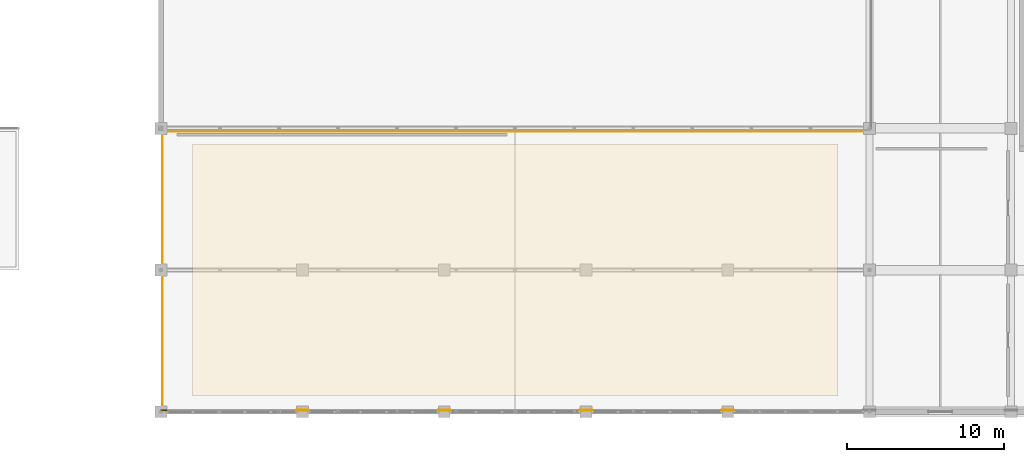
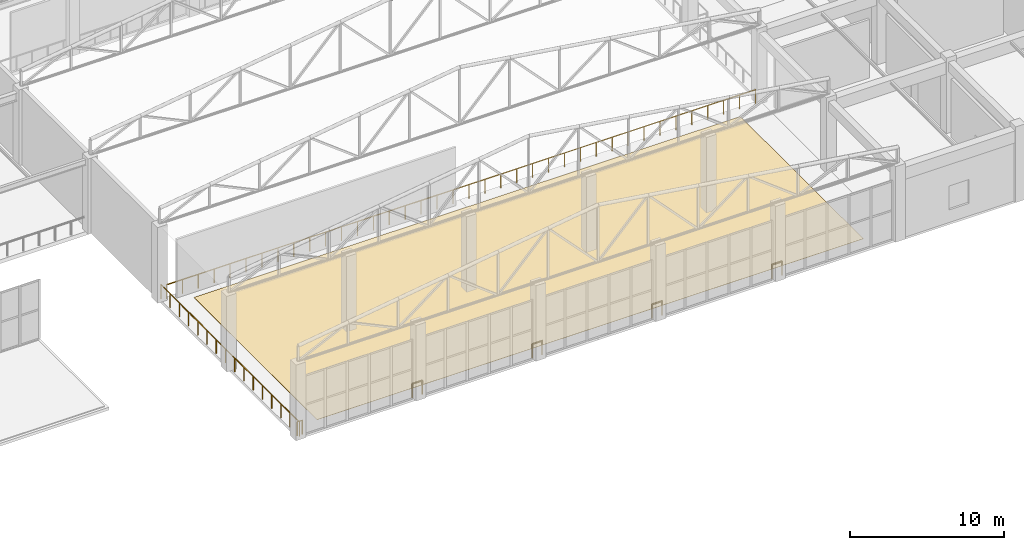
# One storey, part 212 of 223: 7 railings, 1 covering.
"""IFC4 building model written with IfcOpenShell, lengths in metres."""

import ifcopenshell
import ifcopenshell.guid

model = None  # the IFC model being written
_history = None  # IfcOwnerHistory: only IFC2X3 demands one
_inside = {}  # id of a spatial element -> (the spatial element, [elements in it])
_under = {}  # id of a project, library or spatial element -> (it, [spatial elements below it])
_declared = {}  # id of a project -> (the project, [libraries it declares])
_typed = {}  # id of a type object -> (the type object, [elements of that type])
_made_of = {}  # id of a material, layer set ... -> (it, [elements and type objects made of it])


def new_model(schema):
    """Start an empty IFC model of exactly this schema.

    Asked for "IFC4X3", IfcOpenShell would pick the latest addendum, in which some entities
    have other attributes; the version numbers below select the first issue.
    IFC2X3 requires an IfcOwnerHistory on every rooted entity: one is made here for all.
    """
    global model, _history
    if schema == "IFC4X3":
        model = ifcopenshell.file(schema_version=(4, 3, 0, 0))
    else:
        model = ifcopenshell.file(schema=schema)
    _inside.clear()
    _under.clear()
    _declared.clear()
    _typed.clear()
    _made_of.clear()
    _history = None
    if model.schema == "IFC2X3":
        org = make("IfcOrganization", Name="unknown")
        user = make(
            "IfcPersonAndOrganization",
            ThePerson=make("IfcPerson", FamilyName="unknown"),
            TheOrganization=org,
        )
        app = make(
            "IfcApplication",
            ApplicationDeveloper=org,
            Version="unknown",
            ApplicationFullName="unknown",
            ApplicationIdentifier="unknown",
        )
        _history = make(
            "IfcOwnerHistory",
            OwningUser=user,
            OwningApplication=app,
            ChangeAction="ADDED",
            CreationDate=0,
        )
    return model


def make(cls, **values):
    """One entity of the class cls with the attributes given. An attribute that is None is left unset."""
    return model.create_entity(
        cls, **{name: value for name, value in values.items() if value is not None}
    )


def rooted(cls, **values):
    """An entity with a GlobalId (a new one), such as an element, a storey or a relation."""
    return make(cls, GlobalId=ifcopenshell.guid.new(), OwnerHistory=_history, **values)


def si_unit(unit_type, name, prefix=None):
    """IfcSIUnit, for example si_unit("LENGTHUNIT", "METRE", prefix="MILLI")."""
    return make("IfcSIUnit", UnitType=unit_type, Prefix=prefix, Name=name)


def assignment(units):
    """IfcUnitAssignment: the units of a project."""
    return None if units is None else make("IfcUnitAssignment", Units=units)


def point(xyz):
    """IfcCartesianPoint."""
    return None if xyz is None else make("IfcCartesianPoint", Coordinates=xyz)


def direction(xyz):
    """IfcDirection."""
    return None if xyz is None else make("IfcDirection", DirectionRatios=xyz)


def frame(location, z_axis=None, x_axis=None):
    """IfcAxis2Placement3D, a coordinate frame: its origin and axes. An axis left out is left unset."""
    return make(
        "IfcAxis2Placement3D",
        Location=point(location),
        Axis=direction(z_axis),
        RefDirection=direction(x_axis),
    )


def frame_2d(location, x_axis=None):
    """IfcAxis2Placement2D, a coordinate frame in the plane: its origin and x axis."""
    return make(
        "IfcAxis2Placement2D", Location=point(location), RefDirection=direction(x_axis)
    )


def origin():
    """The frame at (0, 0, 0) with its axes left unset."""
    return frame((0.0, 0.0, 0.0))


def origin_2d():
    """The frame at (0, 0) in the plane with its x axis left unset."""
    return frame_2d((0.0, 0.0))


def place(relative_to, where):
    """IfcLocalPlacement: puts the frame where relative to a parent placement (None: the world)."""
    return make(
        "IfcLocalPlacement", PlacementRelTo=relative_to, RelativePlacement=where
    )


def context(
    kind, dimensions, precision=None, world=None, true_north=None, identifier=None
):
    """IfcGeometricRepresentationContext, for example the 3D "Model" context."""
    return make(
        "IfcGeometricRepresentationContext",
        ContextIdentifier=identifier,
        ContextType=kind,
        CoordinateSpaceDimension=dimensions,
        Precision=precision,
        WorldCoordinateSystem=world,
        TrueNorth=true_north,
    )


def subcontext(parent, identifier, kind, view, scale=None):
    """IfcGeometricRepresentationSubContext, for example "Body" below "Model"."""
    return make(
        "IfcGeometricRepresentationSubContext",
        ContextIdentifier=identifier,
        ContextType=kind,
        ParentContext=parent,
        TargetScale=scale,
        TargetView=view,
    )


def project(units=None, contexts=None):
    """IfcProject with its units and contexts."""
    return rooted(
        "IfcProject",
        Name="project",
        RepresentationContexts=contexts,
        UnitsInContext=assignment(units),
    )


def spatial(cls, under=None, at=None, **own):
    """A site, building, storey or space (cls), placed at a placement, below another one or the project."""
    s = rooted(cls, ObjectPlacement=at, **own)
    if under is not None:
        _under.setdefault(under.id(), (under, []))[1].append(s)
    return s


def polyline(points):
    """IfcPolyline through the points."""
    return make("IfcPolyline", Points=[point(p) for p in points])


def profile(cls, at=None, kind="AREA", **sizes):
    """A parametric profile (cls). Its sizes go by their IFC names, for example OverallWidth=200.0."""
    return make(cls, ProfileType=kind, Position=at, **sizes)


def circle(**sizes):
    """IfcCircleProfileDef."""
    return profile("IfcCircleProfileDef", **sizes)


def outline(outer, holes=None, kind="AREA"):
    """IfcArbitraryClosedProfileDef: a profile drawn as a closed curve; with holes, ...WithVoids."""
    if holes is None:
        return make("IfcArbitraryClosedProfileDef", ProfileType=kind, OuterCurve=outer)
    return make(
        "IfcArbitraryProfileDefWithVoids",
        ProfileType=kind,
        OuterCurve=outer,
        InnerCurves=holes,
    )


def extrude(swept, where, along, depth):
    """IfcExtrudedAreaSolid: the profile swept, set in the frame where, extruded along a direction by depth."""
    return make(
        "IfcExtrudedAreaSolid",
        SweptArea=swept,
        Position=where,
        ExtrudedDirection=direction(along),
        Depth=depth,
    )


def shape(context_of_items, identifier, shape_type, items):
    """IfcShapeRepresentation: the items that make up one representation, for example the "Body"."""
    return make(
        "IfcShapeRepresentation",
        ContextOfItems=context_of_items,
        RepresentationIdentifier=identifier,
        RepresentationType=shape_type,
        Items=items,
    )


def material(Name=None, Category=None):
    """IfcMaterial."""
    return make("IfcMaterial", Name=Name, Category=Category)


def layer(
    of_material, thickness, ventilated=None, Name=None, Category=None, Priority=None
):
    """IfcMaterialLayer: one layer of a wall or slab, of a material (None: an air gap)."""
    return make(
        "IfcMaterialLayer",
        Material=of_material,
        LayerThickness=thickness,
        IsVentilated=ventilated,
        Name=Name,
        Category=Category,
        Priority=Priority,
    )


def layer_set(layers, Name=None):
    """IfcMaterialLayerSet."""
    return make("IfcMaterialLayerSet", MaterialLayers=layers, LayerSetName=Name)


def made_of(thing, what):
    """Note that an element or type object is made of a material, layer set ...; save() writes the relation."""
    if what is not None:
        _made_of.setdefault(what.id(), (what, []))[1].append(thing)
    return thing


def type_object(cls, material=None, **own):
    """A type object (cls), such as IfcWallType, which elements share."""
    return made_of(rooted(cls, **own), material)


def element(
    cls,
    number,
    at=None,
    inside=None,
    cuts=None,
    type_object=None,
    material=None,
    context=None,
    identifier="Body",
    shape_type=None,
    held_by="IfcProductDefinitionShape",
    body=None,
    shapes=None,
    **own,
):
    """One element of the class cls, such as IfcWall. Its Tag is "e" and its number.

    at: its placement. inside: the storey or other place that contains it. cuts: it is an
    opening in that element (IfcRelVoidsElement). A single representation is given by context,
    identifier, shape_type and body (its items); several are given by shapes. held_by: the class
    of the entity that holds the representations. save() writes the other relations.
    """
    e = rooted(cls, Tag="e%d" % number, ObjectPlacement=at, **own)
    if body is not None:
        shapes = [shape(context, identifier, shape_type, body)]
    if shapes is not None:
        e.Representation = make(held_by, Representations=shapes)
    if inside is not None:
        _inside.setdefault(inside.id(), (inside, []))[1].append(e)
    if cuts is not None:
        rooted(
            "IfcRelVoidsElement", RelatingBuildingElement=cuts, RelatedOpeningElement=e
        )
    if type_object is not None:
        _typed.setdefault(type_object.id(), (type_object, []))[1].append(e)
    return made_of(e, material)


def aggregate(whole, parts):
    """IfcRelAggregates: a whole, such as a stair, and the parts it consists of."""
    return rooted("IfcRelAggregates", RelatingObject=whole, RelatedObjects=parts)


def save(model, path):
    """Write the relations noted so far, then the file.

    IfcRelAggregates (storeys below a building ...), IfcRelContainedInSpatialStructure (elements
    in a storey), IfcRelDefinesByType, IfcRelAssociatesMaterial and IfcRelDeclares: one each for
    every whole, place, type object, material and project.
    """
    for whole, parts in _under.values():
        aggregate(whole, parts)
    for where, things in _inside.values():
        rooted(
            "IfcRelContainedInSpatialStructure",
            RelatedElements=things,
            RelatingStructure=where,
        )
    for kind, things in _typed.values():
        rooted("IfcRelDefinesByType", RelatedObjects=things, RelatingType=kind)
    for what, things in _made_of.values():
        rooted("IfcRelAssociatesMaterial", RelatedObjects=things, RelatingMaterial=what)
    for by, libraries in _declared.values():
        rooted("IfcRelDeclares", RelatingContext=by, RelatedDefinitions=libraries)
    model.write(path)


model = new_model("IFC4")

# Units and contexts
model_context = context("Model", 3, precision=1e-05, world=origin(), true_north=direction((0.0, 1.0)))
body_context = subcontext(model_context, "Body", "Model", "MODEL_VIEW")
ifc_project = project(units=[si_unit("LENGTHUNIT", "METRE"), si_unit("AREAUNIT", "SQUARE_METRE"), si_unit("VOLUMEUNIT", "CUBIC_METRE"), si_unit("PLANEANGLEUNIT", "RADIAN"), si_unit("MASSUNIT", "GRAM", prefix="KILO")], contexts=[model_context])

# Site, building, storey
site_placement = place(None, origin())
site = spatial("IfcSite", under=ifc_project, at=site_placement, CompositionType="ELEMENT")
building_placement = place(site_placement, origin())
building = spatial("IfcBuilding", under=site, at=building_placement, Name="Dornveld Trade and Exhibition Forum", CompositionType="ELEMENT")
storey_placement = place(building_placement, frame((0.0, 0.0, 6.0)))
storey = spatial("IfcBuildingStorey", under=building, at=storey_placement, Name="L01", CompositionType="ELEMENT", Elevation=6.0)

# Covering
ifc_material_1 = material(Name="Acoustic woven wool congress flooring", Category="textile")
ifc_layer = layer(ifc_material_1, 0.01806640625)
ifc_layer_set = layer_set([ifc_layer], Name="Acoustic woven wool congress flooring")
covering_type = type_object("IfcCoveringType", Name="COV-FLR-CARP", PredefinedType="FLOORING", material=ifc_layer_set)
covering_placement = place(storey_placement, origin())
element("IfcCovering", 1, at=covering_placement, inside=storey, type_object=covering_type, Name="L01 architectural floor finish 4", PredefinedType="FLOORING", context=body_context, shape_type="SweptSolid", body=[
    extrude(outline(polyline([(155.0, 1.0), (196.0, 1.0), (196.0, 17.0), (155.0, 17.0), (155.0, 1.0)])), origin(), (0.0, 0.0, 1.0), 0.01806640625),
])

# Railings
ifc_material_2 = material(Name="Dark-bronze steel and laminated glass balustrade", Category="steel")
railing_type = type_object("IfcRailingType", Name="RL-BALUST-CONC", PredefinedType="BALUSTRADE", material=ifc_material_2)
railing_1_placement = place(storey_placement, frame((153.39990234375, 17.800048828125, 0.0)))
element("IfcRailing", 2, at=railing_1_placement, inside=storey, type_object=railing_type, Name="L01 protective edge guard 23", PredefinedType="BALUSTRADE", context=body_context, shape_type="SweptSolid", body=[
    extrude(circle(Radius=0.02490234375, at=origin_2d()), frame((0.0, 0.0, 1.09521484375), z_axis=(1.0, 0.0, 0.0), x_axis=(0.0, 1.0, 0.0)), (0.0, 0.0, 1.0), 44.2001953125),
    extrude(circle(Radius=0.02099609375, at=origin_2d()), origin(), (0.0, 0.0, 1.0), 1.070068359375),
    extrude(circle(Radius=0.02099609375, at=origin_2d()), frame((1.194580078125, 0.0, 0.0)), (0.0, 0.0, 1.0), 1.070068359375),
    extrude(circle(Radius=0.02099609375, at=origin_2d()), frame((2.38916015625, 0.0, 0.0)), (0.0, 0.0, 1.0), 1.070068359375),
    extrude(circle(Radius=0.02099609375, at=origin_2d()), frame((3.583740234375, 0.0, 0.0)), (0.0, 0.0, 1.0), 1.070068359375),
    extrude(circle(Radius=0.02099609375, at=origin_2d()), frame((4.7783203125, 0.0, 0.0)), (0.0, 0.0, 1.0), 1.070068359375),
    extrude(circle(Radius=0.02099609375, at=origin_2d()), frame((5.972900390625, 0.0, 0.0)), (0.0, 0.0, 1.0), 1.070068359375),
    extrude(circle(Radius=0.02099609375, at=origin_2d()), frame((7.16748046875, 0.0, 0.0)), (0.0, 0.0, 1.0), 1.070068359375),
    extrude(circle(Radius=0.02099609375, at=origin_2d()), frame((8.3623046875, 0.0, 0.0)), (0.0, 0.0, 1.0), 1.070068359375),
    extrude(circle(Radius=0.02099609375, at=origin_2d()), frame((9.556884765625, 0.0, 0.0)), (0.0, 0.0, 1.0), 1.070068359375),
    extrude(circle(Radius=0.02099609375, at=origin_2d()), frame((10.75146484375, 0.0, 0.0)), (0.0, 0.0, 1.0), 1.070068359375),
    extrude(circle(Radius=0.02099609375, at=origin_2d()), frame((11.946044921875, 0.0, 0.0)), (0.0, 0.0, 1.0), 1.070068359375),
    extrude(circle(Radius=0.02099609375, at=origin_2d()), frame((13.140625, 0.0, 0.0)), (0.0, 0.0, 1.0), 1.070068359375),
    extrude(circle(Radius=0.02099609375, at=origin_2d()), frame((14.335205078125, 0.0, 0.0)), (0.0, 0.0, 1.0), 1.070068359375),
    extrude(circle(Radius=0.02099609375, at=origin_2d()), frame((15.52978515625, 0.0, 0.0)), (0.0, 0.0, 1.0), 1.070068359375),
    extrude(circle(Radius=0.02099609375, at=origin_2d()), frame((16.724365234375, 0.0, 0.0)), (0.0, 0.0, 1.0), 1.070068359375),
    extrude(circle(Radius=0.02099609375, at=origin_2d()), frame((17.9189453125, 0.0, 0.0)), (0.0, 0.0, 1.0), 1.070068359375),
    extrude(circle(Radius=0.02099609375, at=origin_2d()), frame((19.113525390625, 0.0, 0.0)), (0.0, 0.0, 1.0), 1.070068359375),
    extrude(circle(Radius=0.02099609375, at=origin_2d()), frame((20.30810546875, 0.0, 0.0)), (0.0, 0.0, 1.0), 1.070068359375),
    extrude(circle(Radius=0.02099609375, at=origin_2d()), frame((21.502685546875, 0.0, 0.0)), (0.0, 0.0, 1.0), 1.070068359375),
    extrude(circle(Radius=0.02099609375, at=origin_2d()), frame((22.697509765625, 0.0, 0.0)), (0.0, 0.0, 1.0), 1.070068359375),
    extrude(circle(Radius=0.02099609375, at=origin_2d()), frame((23.89208984375, 0.0, 0.0)), (0.0, 0.0, 1.0), 1.070068359375),
    extrude(circle(Radius=0.02099609375, at=origin_2d()), frame((25.086669921875, 0.0, 0.0)), (0.0, 0.0, 1.0), 1.070068359375),
    extrude(circle(Radius=0.02099609375, at=origin_2d()), frame((26.28125, 0.0, 0.0)), (0.0, 0.0, 1.0), 1.070068359375),
    extrude(circle(Radius=0.02099609375, at=origin_2d()), frame((27.475830078125, 0.0, 0.0)), (0.0, 0.0, 1.0), 1.070068359375),
    extrude(circle(Radius=0.02099609375, at=origin_2d()), frame((28.67041015625, 0.0, 0.0)), (0.0, 0.0, 1.0), 1.070068359375),
    extrude(circle(Radius=0.02099609375, at=origin_2d()), frame((29.864990234375, 0.0, 0.0)), (0.0, 0.0, 1.0), 1.070068359375),
    extrude(circle(Radius=0.02099609375, at=origin_2d()), frame((31.0595703125, 0.0, 0.0)), (0.0, 0.0, 1.0), 1.070068359375),
    extrude(circle(Radius=0.02099609375, at=origin_2d()), frame((32.254150390625, 0.0, 0.0)), (0.0, 0.0, 1.0), 1.070068359375),
    extrude(circle(Radius=0.02099609375, at=origin_2d()), frame((33.44873046875, 0.0, 0.0)), (0.0, 0.0, 1.0), 1.070068359375),
    extrude(circle(Radius=0.02099609375, at=origin_2d()), frame((34.643310546875, 0.0, 0.0)), (0.0, 0.0, 1.0), 1.070068359375),
    extrude(circle(Radius=0.02099609375, at=origin_2d()), frame((35.837890625, 0.0, 0.0)), (0.0, 0.0, 1.0), 1.070068359375),
    extrude(circle(Radius=0.02099609375, at=origin_2d()), frame((37.03271484375, 0.0, 0.0)), (0.0, 0.0, 1.0), 1.070068359375),
    extrude(circle(Radius=0.02099609375, at=origin_2d()), frame((38.227294921875, 0.0, 0.0)), (0.0, 0.0, 1.0), 1.070068359375),
    extrude(circle(Radius=0.02099609375, at=origin_2d()), frame((39.421875, 0.0, 0.0)), (0.0, 0.0, 1.0), 1.070068359375),
    extrude(circle(Radius=0.02099609375, at=origin_2d()), frame((40.616455078125, 0.0, 0.0)), (0.0, 0.0, 1.0), 1.070068359375),
    extrude(circle(Radius=0.02099609375, at=origin_2d()), frame((41.81103515625, 0.0, 0.0)), (0.0, 0.0, 1.0), 1.070068359375),
    extrude(circle(Radius=0.02099609375, at=origin_2d()), frame((43.005615234375, 0.0, 0.0)), (0.0, 0.0, 1.0), 1.070068359375),
    extrude(circle(Radius=0.02099609375, at=origin_2d()), frame((44.2001953125, 0.0, 0.0)), (0.0, 0.0, 1.0), 1.070068359375),
])
railing_2_placement = place(storey_placement, frame((153.10009765625, 0.0, 0.0)))
element("IfcRailing", 3, at=railing_2_placement, inside=storey, type_object=railing_type, Name="L01 deck edge balustrade 1", PredefinedType="BALUSTRADE", context=body_context, shape_type="SweptSolid", body=[
    extrude(circle(Radius=0.02490234375, at=origin_2d()), frame((0.0, 0.0, 1.09521484375), z_axis=(0.0, 1.0, 0.0), x_axis=(-1.0, 0.0, 0.0)), (0.0, 0.0, 1.0), 18.0),
    extrude(circle(Radius=0.02099609375, at=origin_2d()), origin(), (0.0, 0.0, 1.0), 1.070068359375),
    extrude(circle(Radius=0.02099609375, at=origin_2d()), frame((0.0, 1.199951171875, 0.0)), (0.0, 0.0, 1.0), 1.070068359375),
    extrude(circle(Radius=0.02099609375, at=origin_2d()), frame((0.0, 2.39990234375, 0.0)), (0.0, 0.0, 1.0), 1.070068359375),
    extrude(circle(Radius=0.02099609375, at=origin_2d()), frame((0.0, 3.60009765625, 0.0)), (0.0, 0.0, 1.0), 1.070068359375),
    extrude(circle(Radius=0.02099609375, at=origin_2d()), frame((0.0, 4.800048828125, 0.0)), (0.0, 0.0, 1.0), 1.070068359375),
    extrude(circle(Radius=0.02099609375, at=origin_2d()), frame((0.0, 6.0, 0.0)), (0.0, 0.0, 1.0), 1.070068359375),
    extrude(circle(Radius=0.02099609375, at=origin_2d()), frame((0.0, 7.199951171875, 0.0)), (0.0, 0.0, 1.0), 1.070068359375),
    extrude(circle(Radius=0.02099609375, at=origin_2d()), frame((0.0, 8.39990234375, 0.0)), (0.0, 0.0, 1.0), 1.070068359375),
    extrude(circle(Radius=0.02099609375, at=origin_2d()), frame((0.0, 9.60009765625, 0.0)), (0.0, 0.0, 1.0), 1.070068359375),
    extrude(circle(Radius=0.02099609375, at=origin_2d()), frame((0.0, 10.800048828125, 0.0)), (0.0, 0.0, 1.0), 1.070068359375),
    extrude(circle(Radius=0.02099609375, at=origin_2d()), frame((0.0, 12.0, 0.0)), (0.0, 0.0, 1.0), 1.070068359375),
    extrude(circle(Radius=0.02099609375, at=origin_2d()), frame((0.0, 13.199951171875, 0.0)), (0.0, 0.0, 1.0), 1.070068359375),
    extrude(circle(Radius=0.02099609375, at=origin_2d()), frame((0.0, 14.39990234375, 0.0)), (0.0, 0.0, 1.0), 1.070068359375),
    extrude(circle(Radius=0.02099609375, at=origin_2d()), frame((0.0, 15.60009765625, 0.0)), (0.0, 0.0, 1.0), 1.070068359375),
    extrude(circle(Radius=0.02099609375, at=origin_2d()), frame((0.0, 16.800048828125, 0.0)), (0.0, 0.0, 1.0), 1.070068359375),
    extrude(circle(Radius=0.02099609375, at=origin_2d()), frame((0.0, 18.0, 0.0)), (0.0, 0.0, 1.0), 1.070068359375),
])
for number, where, name in (
    (4, (189.37109375, 0.10009765625, 0.0), "L01 deck edge balustrade 44"),
    (5, (180.37109375, 0.10009765625, 0.0), "L01 deck edge balustrade 45"),
    (6, (171.37109375, 0.10009765625, 0.0), "L01 deck edge balustrade 46"),
    (7, (162.37109375, 0.10009765625, 0.0), "L01 deck edge balustrade 47"),
):
    element("IfcRailing", number, at=place(storey_placement, frame(where)), inside=storey, type_object=railing_type, Name=name, PredefinedType="BALUSTRADE", context=body_context, shape_type="SweptSolid", body=[
        extrude(circle(Radius=0.02490234375, at=origin_2d()), frame((0.0, 0.0, 1.09521484375), z_axis=(-1.0, 0.0, 0.0), x_axis=(0.0, -1.0, 0.0)), (0.0, 0.0, 1.0), 0.7421875),
        extrude(circle(Radius=0.02099609375, at=origin_2d()), origin(), (0.0, 0.0, 1.0), 1.070068359375),
        extrude(circle(Radius=0.02099609375, at=origin_2d()), frame((-0.7421875, 0.0, 0.0)), (0.0, 0.0, 1.0), 1.070068359375),
    ])
railing_3_placement = place(storey_placement, frame((153.37109375, 0.10009765625, 0.0)))
element("IfcRailing", 8, at=railing_3_placement, inside=storey, type_object=railing_type, Name="L01 deck edge balustrade 48", PredefinedType="BALUSTRADE", context=body_context, shape_type="SweptSolid", body=[
    extrude(circle(Radius=0.02490234375, at=origin_2d()), frame((0.0, 0.0, 1.09521484375), z_axis=(-1.0, 0.0, 0.0), x_axis=(0.0, -1.0, 0.0)), (0.0, 0.0, 1.0), 0.37109375),
    extrude(circle(Radius=0.02099609375, at=origin_2d()), origin(), (0.0, 0.0, 1.0), 1.070068359375),
    extrude(circle(Radius=0.02099609375, at=origin_2d()), frame((-0.37109375, 0.0, 0.0)), (0.0, 0.0, 1.0), 1.070068359375),
])

save(model, "model.ifc")
